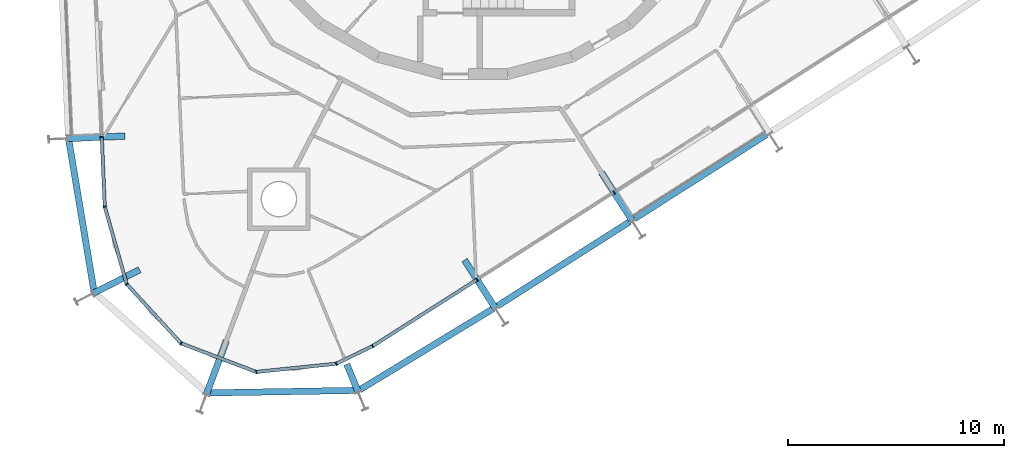
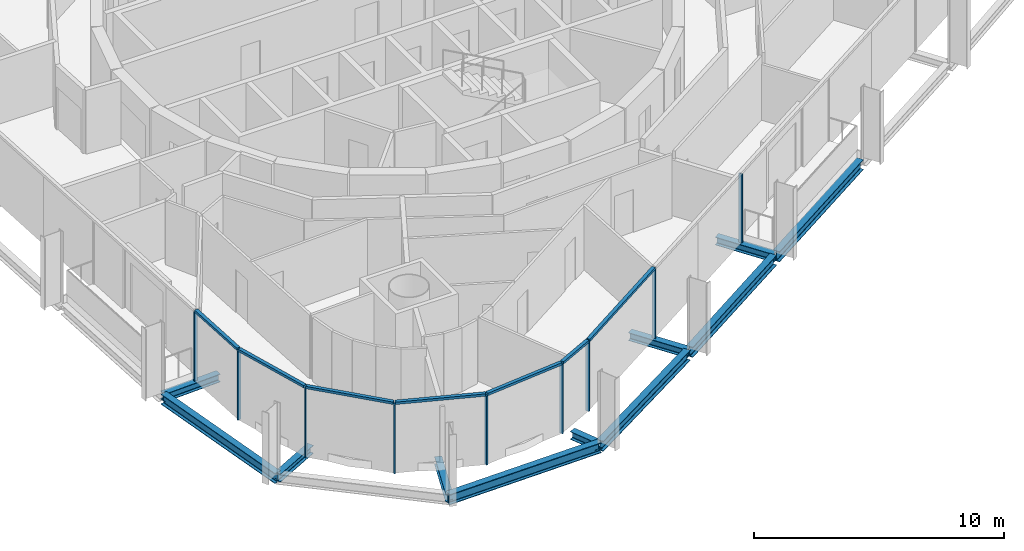
# One storey, part 2 of 18: 16 members, 11 beams, 2 elements without a shape of their own.
"""IFC4 building model written with IfcOpenShell, lengths in metres."""

import ifcopenshell
import ifcopenshell.guid

model = None  # the IFC model being written
_history = None  # IfcOwnerHistory: only IFC2X3 demands one
_inside = {}  # id of a spatial element -> (the spatial element, [elements in it])
_under = {}  # id of a project, library or spatial element -> (it, [spatial elements below it])
_declared = {}  # id of a project -> (the project, [libraries it declares])
_typed = {}  # id of a type object -> (the type object, [elements of that type])
_made_of = {}  # id of a material, layer set ... -> (it, [elements and type objects made of it])


def new_model(schema):
    """Start an empty IFC model of exactly this schema.

    Asked for "IFC4X3", IfcOpenShell would pick the latest addendum, in which some entities
    have other attributes; the version numbers below select the first issue.
    IFC2X3 requires an IfcOwnerHistory on every rooted entity: one is made here for all.
    """
    global model, _history
    if schema == "IFC4X3":
        model = ifcopenshell.file(schema_version=(4, 3, 0, 0))
    else:
        model = ifcopenshell.file(schema=schema)
    _inside.clear()
    _under.clear()
    _declared.clear()
    _typed.clear()
    _made_of.clear()
    _history = None
    if model.schema == "IFC2X3":
        org = make("IfcOrganization", Name="unknown")
        user = make(
            "IfcPersonAndOrganization",
            ThePerson=make("IfcPerson", FamilyName="unknown"),
            TheOrganization=org,
        )
        app = make(
            "IfcApplication",
            ApplicationDeveloper=org,
            Version="unknown",
            ApplicationFullName="unknown",
            ApplicationIdentifier="unknown",
        )
        _history = make(
            "IfcOwnerHistory",
            OwningUser=user,
            OwningApplication=app,
            ChangeAction="ADDED",
            CreationDate=0,
        )
    return model


def make(cls, **values):
    """One entity of the class cls with the attributes given. An attribute that is None is left unset."""
    return model.create_entity(
        cls, **{name: value for name, value in values.items() if value is not None}
    )


def rooted(cls, **values):
    """An entity with a GlobalId (a new one), such as an element, a storey or a relation."""
    return make(cls, GlobalId=ifcopenshell.guid.new(), OwnerHistory=_history, **values)


def si_unit(unit_type, name, prefix=None):
    """IfcSIUnit, for example si_unit("LENGTHUNIT", "METRE", prefix="MILLI")."""
    return make("IfcSIUnit", UnitType=unit_type, Prefix=prefix, Name=name)


def assignment(units):
    """IfcUnitAssignment: the units of a project."""
    return None if units is None else make("IfcUnitAssignment", Units=units)


def point(xyz):
    """IfcCartesianPoint."""
    return None if xyz is None else make("IfcCartesianPoint", Coordinates=xyz)


def direction(xyz):
    """IfcDirection."""
    return None if xyz is None else make("IfcDirection", DirectionRatios=xyz)


def frame(location, z_axis=None, x_axis=None):
    """IfcAxis2Placement3D, a coordinate frame: its origin and axes. An axis left out is left unset."""
    return make(
        "IfcAxis2Placement3D",
        Location=point(location),
        Axis=direction(z_axis),
        RefDirection=direction(x_axis),
    )


def frame_2d(location, x_axis=None):
    """IfcAxis2Placement2D, a coordinate frame in the plane: its origin and x axis."""
    return make(
        "IfcAxis2Placement2D", Location=point(location), RefDirection=direction(x_axis)
    )


def origin():
    """The frame at (0, 0, 0) with its axes left unset."""
    return frame((0.0, 0.0, 0.0))


def origin_2d():
    """The frame at (0, 0) in the plane with its x axis left unset."""
    return frame_2d((0.0, 0.0))


def place(relative_to, where):
    """IfcLocalPlacement: puts the frame where relative to a parent placement (None: the world)."""
    return make(
        "IfcLocalPlacement", PlacementRelTo=relative_to, RelativePlacement=where
    )


def context(
    kind, dimensions, precision=None, world=None, true_north=None, identifier=None
):
    """IfcGeometricRepresentationContext, for example the 3D "Model" context."""
    return make(
        "IfcGeometricRepresentationContext",
        ContextIdentifier=identifier,
        ContextType=kind,
        CoordinateSpaceDimension=dimensions,
        Precision=precision,
        WorldCoordinateSystem=world,
        TrueNorth=true_north,
    )


def subcontext(parent, identifier, kind, view, scale=None):
    """IfcGeometricRepresentationSubContext, for example "Body" below "Model"."""
    return make(
        "IfcGeometricRepresentationSubContext",
        ContextIdentifier=identifier,
        ContextType=kind,
        ParentContext=parent,
        TargetScale=scale,
        TargetView=view,
    )


def project(units=None, contexts=None):
    """IfcProject with its units and contexts."""
    return rooted(
        "IfcProject",
        Name="project",
        RepresentationContexts=contexts,
        UnitsInContext=assignment(units),
    )


def spatial(cls, under=None, at=None, **own):
    """A site, building, storey or space (cls), placed at a placement, below another one or the project."""
    s = rooted(cls, ObjectPlacement=at, **own)
    if under is not None:
        _under.setdefault(under.id(), (under, []))[1].append(s)
    return s


def profile(cls, at=None, kind="AREA", **sizes):
    """A parametric profile (cls). Its sizes go by their IFC names, for example OverallWidth=200.0."""
    return make(cls, ProfileType=kind, Position=at, **sizes)


def rectangle(**sizes):
    """IfcRectangleProfileDef."""
    return profile("IfcRectangleProfileDef", **sizes)


def i_section(**sizes):
    """IfcIShapeProfileDef."""
    return profile("IfcIShapeProfileDef", **sizes)


def extrude(swept, where, along, depth):
    """IfcExtrudedAreaSolid: the profile swept, set in the frame where, extruded along a direction by depth."""
    return make(
        "IfcExtrudedAreaSolid",
        SweptArea=swept,
        Position=where,
        ExtrudedDirection=direction(along),
        Depth=depth,
    )


def shape(context_of_items, identifier, shape_type, items):
    """IfcShapeRepresentation: the items that make up one representation, for example the "Body"."""
    return make(
        "IfcShapeRepresentation",
        ContextOfItems=context_of_items,
        RepresentationIdentifier=identifier,
        RepresentationType=shape_type,
        Items=items,
    )


def material(Name=None, Category=None):
    """IfcMaterial."""
    return make("IfcMaterial", Name=Name, Category=Category)


def layer(
    of_material, thickness, ventilated=None, Name=None, Category=None, Priority=None
):
    """IfcMaterialLayer: one layer of a wall or slab, of a material (None: an air gap)."""
    return make(
        "IfcMaterialLayer",
        Material=of_material,
        LayerThickness=thickness,
        IsVentilated=ventilated,
        Name=Name,
        Category=Category,
        Priority=Priority,
    )


def layer_set(layers, Name=None):
    """IfcMaterialLayerSet."""
    return make("IfcMaterialLayerSet", MaterialLayers=layers, LayerSetName=Name)


def material_profile(
    of_material, cross_section, Name=None, Category=None, Priority=None
):
    """IfcMaterialProfile: a cross section and its material."""
    return make(
        "IfcMaterialProfile",
        Name=Name,
        Material=of_material,
        Profile=cross_section,
        Priority=Priority,
        Category=Category,
    )


def profile_set(profiles, Name=None, composite=None):
    """IfcMaterialProfileSet."""
    return make(
        "IfcMaterialProfileSet",
        Name=Name,
        MaterialProfiles=profiles,
        CompositeProfile=composite,
    )


def made_of(thing, what):
    """Note that an element or type object is made of a material, layer set ...; save() writes the relation."""
    if what is not None:
        _made_of.setdefault(what.id(), (what, []))[1].append(thing)
    return thing


def type_object(cls, material=None, **own):
    """A type object (cls), such as IfcWallType, which elements share."""
    return made_of(rooted(cls, **own), material)


def element(
    cls,
    number,
    at=None,
    inside=None,
    cuts=None,
    type_object=None,
    material=None,
    context=None,
    identifier="Body",
    shape_type=None,
    held_by="IfcProductDefinitionShape",
    body=None,
    shapes=None,
    **own,
):
    """One element of the class cls, such as IfcWall. Its Tag is "e" and its number.

    at: its placement. inside: the storey or other place that contains it. cuts: it is an
    opening in that element (IfcRelVoidsElement). A single representation is given by context,
    identifier, shape_type and body (its items); several are given by shapes. held_by: the class
    of the entity that holds the representations. save() writes the other relations.
    """
    e = rooted(cls, Tag="e%d" % number, ObjectPlacement=at, **own)
    if body is not None:
        shapes = [shape(context, identifier, shape_type, body)]
    if shapes is not None:
        e.Representation = make(held_by, Representations=shapes)
    if inside is not None:
        _inside.setdefault(inside.id(), (inside, []))[1].append(e)
    if cuts is not None:
        rooted(
            "IfcRelVoidsElement", RelatingBuildingElement=cuts, RelatedOpeningElement=e
        )
    if type_object is not None:
        _typed.setdefault(type_object.id(), (type_object, []))[1].append(e)
    return made_of(e, material)


def aggregate(whole, parts):
    """IfcRelAggregates: a whole, such as a stair, and the parts it consists of."""
    return rooted("IfcRelAggregates", RelatingObject=whole, RelatedObjects=parts)


def save(model, path):
    """Write the relations noted so far, then the file.

    IfcRelAggregates (storeys below a building ...), IfcRelContainedInSpatialStructure (elements
    in a storey), IfcRelDefinesByType, IfcRelAssociatesMaterial and IfcRelDeclares: one each for
    every whole, place, type object, material and project.
    """
    for whole, parts in _under.values():
        aggregate(whole, parts)
    for where, things in _inside.values():
        rooted(
            "IfcRelContainedInSpatialStructure",
            RelatedElements=things,
            RelatingStructure=where,
        )
    for kind, things in _typed.values():
        rooted("IfcRelDefinesByType", RelatedObjects=things, RelatingType=kind)
    for what, things in _made_of.values():
        rooted("IfcRelAssociatesMaterial", RelatedObjects=things, RelatingMaterial=what)
    for by, libraries in _declared.values():
        rooted("IfcRelDeclares", RelatingContext=by, RelatedDefinitions=libraries)
    model.write(path)


model = new_model("IFC4")

# Units and contexts
model_context = context("Model", 3, precision=1e-05, world=origin(), true_north=direction((0.0, 1.0)))
body_context = subcontext(model_context, "Body", "Model", "MODEL_VIEW")
ifc_project = project(units=[si_unit("LENGTHUNIT", "METRE"), si_unit("AREAUNIT", "SQUARE_METRE"), si_unit("VOLUMEUNIT", "CUBIC_METRE"), si_unit("PLANEANGLEUNIT", "RADIAN"), si_unit("MASSUNIT", "GRAM", prefix="KILO")], contexts=[model_context])

# Site, building, storey
site_placement = place(None, origin())
site = spatial("IfcSite", under=ifc_project, at=site_placement, CompositionType="ELEMENT")
building_placement = place(site_placement, origin())
building = spatial("IfcBuilding", under=site, at=building_placement, Name="Spindle Arch Residences", CompositionType="ELEMENT")
storey_placement = place(building_placement, frame((0.0, 0.0, 251.199951171875)))
storey = spatial("IfcBuildingStorey", under=building, at=storey_placement, Name="L64", CompositionType="ELEMENT", Elevation=251.199951171875)

# Curtain wall, members
ifc_material_1 = material(Name="Aluminium bronze unitised frame with tinted glass", Category="aluminium")
ifc_layer_1 = layer(ifc_material_1, 0.159912109375)
ifc_layer_set_1 = layer_set([ifc_layer_1], Name="CW-D corner wall on the fillet arcs")
curtain_wall_type_1 = type_object("IfcCurtainWallType", Name="CW-D corner wall on the fillet arcs", PredefinedType="NOTDEFINED", material=ifc_layer_set_1)
curtain_wall_1_placement = place(storey_placement, origin())
curtain_wall_1 = element("IfcCurtainWall", 1, at=curtain_wall_1_placement, inside=storey, type_object=curtain_wall_type_1, Name="CW-D L64 run 5", PredefinedType="NOTDEFINED")
ifc_material_2 = material(Name="Aluminium bronze anodised mullion", Category="aluminium")
ifc_material_profile_1 = material_profile(ifc_material_2, rectangle(XDim=0.159912109375, YDim=0.06005859375, at=origin_2d()), Name="MU 60x160")
ifc_profile_set_1 = profile_set([ifc_material_profile_1], Name="Aluminium bronze anodised mullion")
member_type_1 = type_object("IfcMemberType", Name="Bronze mullion 60x160", PredefinedType="MULLION", material=ifc_profile_set_1)
member_1_placement = place(storey_placement, frame((-17.295166015625, -14.573486328125, -0.3798828125), z_axis=(0.0, 0.0, 1.0), x_axis=(0.999048221582, 0.043619387365, 0.0)))
member_1 = element("IfcMember", 2, at=member_1_placement, type_object=member_type_1, Name="CW-D mullion 00", PredefinedType="MULLION", context=body_context, shape_type="SweptSolid", body=[
    extrude(rectangle(XDim=0.159912109375, YDim=0.06005859375, at=origin_2d()), origin(), (0.0, 0.0, 1.0), 3.3798828125),
])
member_2_placement = place(storey_placement, frame((-17.154296875, -17.798828125, -0.3798828125), z_axis=(0.0, 0.0, 1.0), x_axis=(0.962059424213, 0.272839997585, 0.0)))
member_2 = element("IfcMember", 3, at=member_2_placement, type_object=member_type_1, Name="CW-D mullion 01", PredefinedType="MULLION", context=body_context, shape_type="SweptSolid", body=[
    extrude(rectangle(XDim=0.159912109375, YDim=0.06005859375, at=origin_2d()), origin(), (0.0, 0.0, 1.0), 3.3798828125),
])
member_3_placement = place(storey_placement, frame((-16.137451171875, -21.384033203125, -0.3798828125), z_axis=(0.0, 0.0, 1.0), x_axis=(0.737277336881, 0.675590207538, 0.0)))
member_3 = element("IfcMember", 4, at=member_3_placement, type_object=member_type_1, Name="CW-D mullion 02", PredefinedType="MULLION", context=body_context, shape_type="SweptSolid", body=[
    extrude(rectangle(XDim=0.159912109375, YDim=0.06005859375, at=origin_2d()), origin(), (0.0, 0.0, 1.0), 3.3798828125),
])
member_4_placement = place(storey_placement, frame((-13.61962890625, -24.1318359375, -0.3798828125), z_axis=(0.0, 0.0, 1.0), x_axis=(0.355650760994, 0.934618925661, 0.0)))
member_4 = element("IfcMember", 5, at=member_4_placement, type_object=member_type_1, Name="CW-D mullion 03", PredefinedType="MULLION", context=body_context, shape_type="SweptSolid", body=[
    extrude(rectangle(XDim=0.159912109375, YDim=0.06005859375, at=origin_2d()), origin(), (0.0, 0.0, 1.0), 3.3798828125),
])
member_5_placement = place(storey_placement, frame((-10.13671875, -25.457275390625, -0.3798828125), z_axis=(0.0, 0.0, 1.0), x_axis=(-0.10163508092, 0.994821748016, 0.0)))
member_5 = element("IfcMember", 6, at=member_5_placement, type_object=member_type_1, Name="CW-D mullion 04", PredefinedType="MULLION", context=body_context, shape_type="SweptSolid", body=[
    extrude(rectangle(XDim=0.159912109375, YDim=0.06005859375, at=origin_2d()), origin(), (0.0, 0.0, 1.0), 3.3798828125),
])
member_6_placement = place(storey_placement, frame((-6.42919921875, -25.078369140625, -0.3798828125), z_axis=(0.0, 0.0, 1.0), x_axis=(-0.435754813823, 0.900065409973, 0.0)))
member_6 = element("IfcMember", 7, at=member_6_placement, type_object=member_type_1, Name="CW-D mullion 05", PredefinedType="MULLION", context=body_context, shape_type="SweptSolid", body=[
    extrude(rectangle(XDim=0.159912109375, YDim=0.06005859375, at=origin_2d()), origin(), (0.0, 0.0, 1.0), 3.3798828125),
])
member_7_placement = place(storey_placement, frame((-4.74072265625, -24.260986328125, -0.3798828125), z_axis=(0.0, 0.0, 1.0), x_axis=(-0.537299608347, 0.843391445813, 0.0)))
member_7 = element("IfcMember", 8, at=member_7_placement, type_object=member_type_1, Name="CW-D mullion 06", PredefinedType="MULLION", context=body_context, shape_type="SweptSolid", body=[
    extrude(rectangle(XDim=0.159912109375, YDim=0.06005859375, at=origin_2d()), origin(), (0.0, 0.0, 1.0), 3.3798828125),
])

ifc_material_3 = material(Name="Aluminium bronze unitised frame with tinted glass", Category="aluminium")
ifc_layer_2 = layer(ifc_material_3, 0.159912109375)
ifc_layer_set_2 = layer_set([ifc_layer_2], Name="CW-C typical residential unitised wall")
curtain_wall_type_2 = type_object("IfcCurtainWallType", Name="CW-C typical residential unitised wall", PredefinedType="NOTDEFINED", material=ifc_layer_set_2)
curtain_wall_2_placement = place(storey_placement, origin())
curtain_wall_2 = element("IfcCurtainWall", 9, at=curtain_wall_2_placement, inside=storey, type_object=curtain_wall_type_2, Name="CW-C L64 run 6", PredefinedType="NOTDEFINED")
member_8_placement = place(storey_placement, frame((0.09912109375, -21.177734375, -0.3798828125), z_axis=(0.0, 0.0, 1.0), x_axis=(-0.537299608347, 0.843391445813, 0.0)))
member_8 = element("IfcMember", 10, at=member_8_placement, type_object=member_type_1, Name="CW-C mullion 20", PredefinedType="MULLION", context=body_context, shape_type="SweptSolid", body=[
    extrude(rectangle(XDim=0.159912109375, YDim=0.06005859375, at=origin_2d()), origin(), (0.0, 0.0, 1.0), 3.3798828125),
])
member_9_placement = place(storey_placement, frame((6.449951171875, -17.1318359375, -0.3798828125), z_axis=(0.0, 0.0, 1.0), x_axis=(-0.537299608347, 0.843391445813, 0.0)))
member_9 = element("IfcMember", 11, at=member_9_placement, type_object=member_type_1, Name="CW-C mullion 21", PredefinedType="MULLION", context=body_context, shape_type="SweptSolid", body=[
    extrude(rectangle(XDim=0.159912109375, YDim=0.06005859375, at=origin_2d()), origin(), (0.0, 0.0, 1.0), 3.3798828125),
])
aggregate(curtain_wall_2, [member_8, member_9])

# Member
ifc_material_4 = material(Name="Aluminium bronze anodised transom", Category="aluminium")
ifc_material_profile_2 = material_profile(ifc_material_4, rectangle(XDim=0.159912109375, YDim=0.1201171875, at=origin_2d()), Name="TR 120x160")
ifc_profile_set_2 = profile_set([ifc_material_profile_2], Name="Aluminium bronze anodised transom")
member_type_2 = type_object("IfcMemberType", Name="Bronze transom 120x160", PredefinedType="USERDEFINED", material=ifc_profile_set_2)
member_10_placement = place(storey_placement, frame((-17.293701171875, -14.603271484375, 3.06005859375), z_axis=(0.043611098121, -0.999048583464, 0.0), x_axis=(0.999048583464, 0.043611098121, 0.0)))
member_10 = element("IfcMember", 12, at=member_10_placement, type_object=member_type_2, Name="CW-D transom 00", ObjectType="TRANSOM", PredefinedType="USERDEFINED", context=body_context, shape_type="SweptSolid", body=[
    extrude(rectangle(XDim=0.159912109375, YDim=0.1201171875, at=origin_2d()), origin(), (0.0, 0.0, 1.0), 3.16845703125),
])

member_11_placement = place(storey_placement, frame((-17.146240234375, -17.82763671875, 3.06005859375), z_axis=(0.272856293247, -0.962054802616, 0.0), x_axis=(0.962054802616, 0.272856293247, 0.0)))
member_11 = element("IfcMember", 13, at=member_11_placement, type_object=member_type_2, Name="CW-D transom 01", ObjectType="TRANSOM", PredefinedType="USERDEFINED", context=body_context, shape_type="SweptSolid", body=[
    extrude(rectangle(XDim=0.159912109375, YDim=0.1201171875, at=origin_2d()), origin(), (0.0, 0.0, 1.0), 3.666748046875),
])

member_12_placement = place(storey_placement, frame((-16.1171875, -21.40625, 3.06005859375), z_axis=(0.675607033687, -0.737261918204, 0.0), x_axis=(0.737261918204, 0.675607033687, 0.0)))
member_12 = element("IfcMember", 14, at=member_12_placement, type_object=member_type_2, Name="CW-D transom 02", ObjectType="TRANSOM", PredefinedType="USERDEFINED", context=body_context, shape_type="SweptSolid", body=[
    extrude(rectangle(XDim=0.159912109375, YDim=0.1201171875, at=origin_2d()), origin(), (0.0, 0.0, 1.0), 3.666748046875),
])

member_13_placement = place(storey_placement, frame((-13.591796875, -24.142578125, 3.06005859375), z_axis=(0.934630056182, -0.355621509587, 0.0), x_axis=(0.355621509587, 0.934630056182, 0.0)))
member_13 = element("IfcMember", 15, at=member_13_placement, type_object=member_type_2, Name="CW-D transom 03", ObjectType="TRANSOM", PredefinedType="USERDEFINED", context=body_context, shape_type="SweptSolid", body=[
    extrude(rectangle(XDim=0.159912109375, YDim=0.1201171875, at=origin_2d()), origin(), (0.0, 0.0, 1.0), 3.666748046875),
])

member_14_placement = place(storey_placement, frame((-10.106689453125, -25.4541015625, 3.06005859375), z_axis=(0.994824669398, 0.101606481862, 0.0), x_axis=(-0.101606481862, 0.994824669398, 0.0)))
member_14 = element("IfcMember", 16, at=member_14_placement, type_object=member_type_2, Name="CW-D transom 04", ObjectType="TRANSOM", PredefinedType="USERDEFINED", context=body_context, shape_type="SweptSolid", body=[
    extrude(rectangle(XDim=0.159912109375, YDim=0.1201171875, at=origin_2d()), origin(), (0.0, 0.0, 1.0), 3.666748046875),
])

member_15_placement = place(storey_placement, frame((-6.402099609375, -25.0654296875, 3.06005859375), z_axis=(0.900028291694, 0.435831474484, 0.0), x_axis=(-0.435831474484, 0.900028291694, 0.0)))
member_15 = element("IfcMember", 17, at=member_15_placement, type_object=member_type_2, Name="CW-D transom 05", ObjectType="TRANSOM", PredefinedType="USERDEFINED", context=body_context, shape_type="SweptSolid", body=[
    extrude(rectangle(XDim=0.159912109375, YDim=0.1201171875, at=origin_2d()), origin(), (0.0, 0.0, 1.0), 1.816162109375),
])

member_16_placement = place(storey_placement, frame((-4.71533203125, -24.244873046875, 3.06005859375), z_axis=(0.843399381096, 0.537287152244, 0.0), x_axis=(-0.537287152244, 0.843399381096, 0.0)))
member_16 = element("IfcMember", 18, at=member_16_placement, type_object=member_type_2, Name="CW-D transom 06", ObjectType="TRANSOM", PredefinedType="USERDEFINED", context=body_context, shape_type="SweptSolid", body=[
    extrude(rectangle(XDim=0.159912109375, YDim=0.1201171875, at=origin_2d()), origin(), (0.0, 0.0, 1.0), 5.678466796875),
])

aggregate(curtain_wall_1, [member_1, member_10, member_2, member_11, member_3, member_12, member_4, member_13, member_5, member_14, member_6, member_15, member_7, member_16])

# Beams
ifc_material_5 = material(Name="Steel S460ML, intumescent coating R 120", Category="steel")
ifc_material_profile_3 = material_profile(ifc_material_5, i_section(OverallWidth=0.300048828125, OverallDepth=0.5, WebThickness=0.014404296875, FlangeThickness=0.028076171875, FilletRadius=0.027099609375, at=origin_2d()), Name="HEB 500")
ifc_profile_set_3 = profile_set([ifc_material_profile_3], Name="Steel S460ML, intumescent coating R 120")
beam_type_1 = type_object("IfcBeamType", Name="Exoskeleton edge beam HEB 500", PredefinedType="BEAM", material=ifc_profile_set_3)
beam_1_placement = place(storey_placement, frame((-18.82763671875, -14.66796875, -0.6298828125), z_axis=(0.164206425822, -0.986425998095, 0.0), x_axis=(0.986425998095, 0.164206425822, 0.0)))
element("IfcBeam", 19, at=beam_1_placement, inside=storey, type_object=beam_type_1, Name="Exoskeleton edge beam 17", PredefinedType="BEAM", context=body_context, shape_type="SweptSolid", body=[
    extrude(i_section(OverallWidth=0.300048828125, OverallDepth=0.5, WebThickness=0.014404296875, FlangeThickness=0.028076171875, FilletRadius=0.027099609375, at=origin_2d()), origin(), (0.0, 0.0, 1.0), 7.196044921875),
])
beam_2_placement = place(storey_placement, frame((-12.4775390625, -26.431884765625, -0.6298828125), z_axis=(0.999854421293, 0.017062714363, 0.0), x_axis=(-0.017062714363, 0.999854421293, 0.0)))
element("IfcBeam", 20, at=beam_2_placement, inside=storey, type_object=beam_type_1, Name="Exoskeleton edge beam 19", PredefinedType="BEAM", context=body_context, shape_type="SweptSolid", body=[
    extrude(i_section(OverallWidth=0.300048828125, OverallDepth=0.5, WebThickness=0.014404296875, FlangeThickness=0.028076171875, FilletRadius=0.027099609375, at=origin_2d()), origin(), (0.0, 0.0, 1.0), 7.096923828125),
])
beam_3_placement = place(storey_placement, frame((-5.353515625, -26.294921875, -0.6298828125), z_axis=(0.854518430604, 0.519421073656, 0.0), x_axis=(-0.519421073656, 0.854518430604, 0.0)))
element("IfcBeam", 21, at=beam_3_placement, inside=storey, type_object=beam_type_1, Name="Exoskeleton edge beam 20", PredefinedType="BEAM", context=body_context, shape_type="SweptSolid", body=[
    extrude(i_section(OverallWidth=0.300048828125, OverallDepth=0.5, WebThickness=0.014404296875, FlangeThickness=0.028076171875, FilletRadius=0.027099609375, at=origin_2d()), origin(), (0.0, 0.0, 1.0), 7.262451171875),
])
for number, where, z_axis, x_axis, name in (
    (22, (1.0361328125, -22.406494140625, -0.6298828125), (0.843406961456, 0.53727525289, 0.0), (-0.53727525289, 0.843406961456, 0.0), "Exoskeleton edge beam 21"),
    (23, (7.386962890625, -18.360595703125, -0.6298828125), (0.843406961456, 0.53727525289, 0.0), (-0.53727525289, 0.843406961456, 0.0), "Exoskeleton edge beam 22"),
):
    element("IfcBeam", number, at=place(storey_placement, frame(where, z_axis=z_axis, x_axis=x_axis)), inside=storey, type_object=beam_type_1, Name=name, PredefinedType="BEAM", context=body_context, shape_type="SweptSolid", body=[
        extrude(i_section(OverallWidth=0.300048828125, OverallDepth=0.5, WebThickness=0.014404296875, FlangeThickness=0.028076171875, FilletRadius=0.027099609375, at=origin_2d()), origin(), (0.0, 0.0, 1.0), 7.27001953125),
    ])
ifc_material_6 = material(Name="Steel S460ML, intumescent coating R 120", Category="steel")
ifc_material_profile_4 = material_profile(ifc_material_6, i_section(OverallWidth=0.300048828125, OverallDepth=0.389892578125, WebThickness=0.010986328125, FlangeThickness=0.01904296875, FilletRadius=0.027099609375, at=origin_2d()), Name="HEA 400")
ifc_profile_set_4 = profile_set([ifc_material_profile_4], Name="Steel S460ML, intumescent coating R 120")
beam_type_2 = type_object("IfcBeamType", Name="Floor outrigger HEA 400", PredefinedType="BEAM", material=ifc_profile_set_4)
beam_4_placement = place(storey_placement, frame((-18.863525390625, -14.641845703125, -0.574951171875), z_axis=(0.999049889571, 0.043581167368, 0.0), x_axis=(-0.043581167368, 0.999049889571, 0.0)))
element("IfcBeam", 24, at=beam_4_placement, inside=storey, type_object=beam_type_2, Name="Floor outrigger 17", PredefinedType="BEAM", context=body_context, shape_type="SweptSolid", body=[
    extrude(i_section(OverallWidth=0.300048828125, OverallDepth=0.389892578125, WebThickness=0.010986328125, FlangeThickness=0.01904296875, FilletRadius=0.027099609375, at=origin_2d()), origin(), (0.0, 0.0, 1.0), 2.649658203125),
])
beam_5_placement = place(storey_placement, frame((-17.687744140625, -21.812744140625, -0.574951171875), z_axis=(0.891781094186, 0.452467103835, 0.0), x_axis=(-0.452467103835, 0.891781094186, 0.0)))
element("IfcBeam", 25, at=beam_5_placement, inside=storey, type_object=beam_type_2, Name="Floor outrigger 18", PredefinedType="BEAM", context=body_context, shape_type="SweptSolid", body=[
    extrude(i_section(OverallWidth=0.300048828125, OverallDepth=0.389892578125, WebThickness=0.010986328125, FlangeThickness=0.01904296875, FilletRadius=0.027099609375, at=origin_2d()), origin(), (0.0, 0.0, 1.0), 2.4130859375),
])
beam_6_placement = place(storey_placement, frame((-12.442626953125, -26.4921875, -0.574951171875), z_axis=(0.348274434102, 0.937392617077, 0.0), x_axis=(-0.937392617077, 0.348274434102, 0.0)))
element("IfcBeam", 26, at=beam_6_placement, inside=storey, type_object=beam_type_2, Name="Floor outrigger 19", PredefinedType="BEAM", context=body_context, shape_type="SweptSolid", body=[
    extrude(i_section(OverallWidth=0.300048828125, OverallDepth=0.389892578125, WebThickness=0.010986328125, FlangeThickness=0.01904296875, FilletRadius=0.027099609375, at=origin_2d()), origin(), (0.0, 0.0, 1.0), 2.64990234375),
])
beam_7_placement = place(storey_placement, frame((-5.41455078125, -26.372314453125, -0.574951171875), z_axis=(-0.380108293875, 0.924941990034, 0.0), x_axis=(-0.924941990034, -0.380108293875, 0.0)))
element("IfcBeam", 27, at=beam_7_placement, inside=storey, type_object=beam_type_2, Name="Floor outrigger 20", PredefinedType="BEAM", context=body_context, shape_type="SweptSolid", body=[
    extrude(i_section(OverallWidth=0.300048828125, OverallDepth=0.389892578125, WebThickness=0.010986328125, FlangeThickness=0.01904296875, FilletRadius=0.027099609375, at=origin_2d()), origin(), (0.0, 0.0, 1.0), 1.37841796875),
])
for number, where, z_axis, x_axis, name in (
    (28, (0.942626953125, -22.501708984375, -0.574951171875), (-0.537316570745, 0.843380639334, 0.0), (-0.843380639334, -0.537316570745, 0.0), "Floor outrigger 21"),
    (29, (7.29345703125, -18.455810546875, -0.574951171875), (-0.537316570745, 0.843380639334, 0.0), (-0.843380639334, -0.537316570745, 0.0), "Floor outrigger 22"),
):
    element("IfcBeam", number, at=place(storey_placement, frame(where, z_axis=z_axis, x_axis=x_axis)), inside=storey, type_object=beam_type_2, Name=name, PredefinedType="BEAM", context=body_context, shape_type="SweptSolid", body=[
        extrude(i_section(OverallWidth=0.300048828125, OverallDepth=0.389892578125, WebThickness=0.010986328125, FlangeThickness=0.01904296875, FilletRadius=0.027099609375, at=origin_2d()), origin(), (0.0, 0.0, 1.0), 2.64990234375),
    ])

save(model, "model.ifc")
